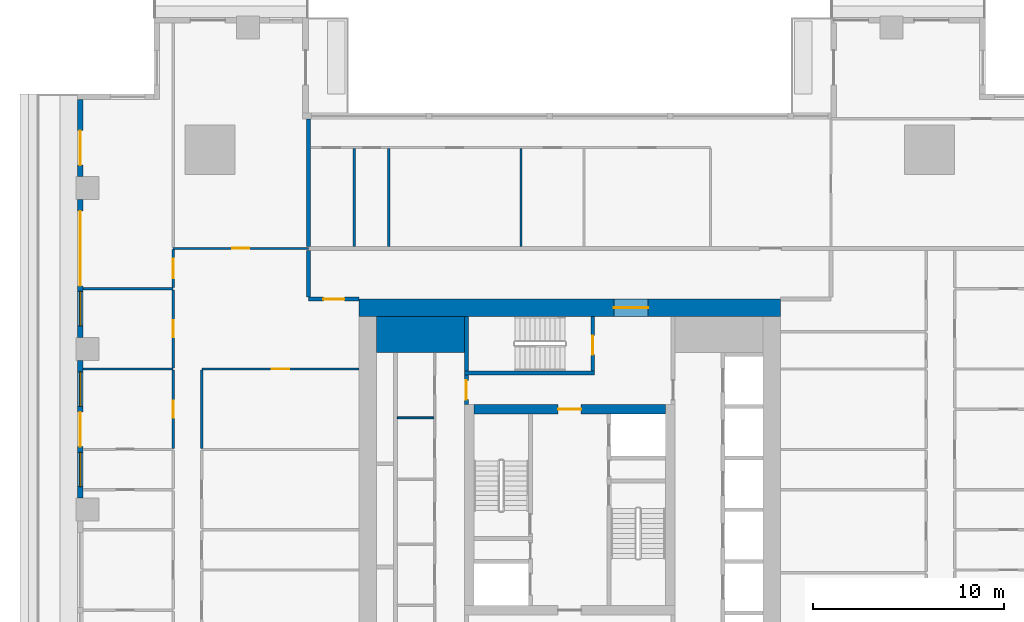
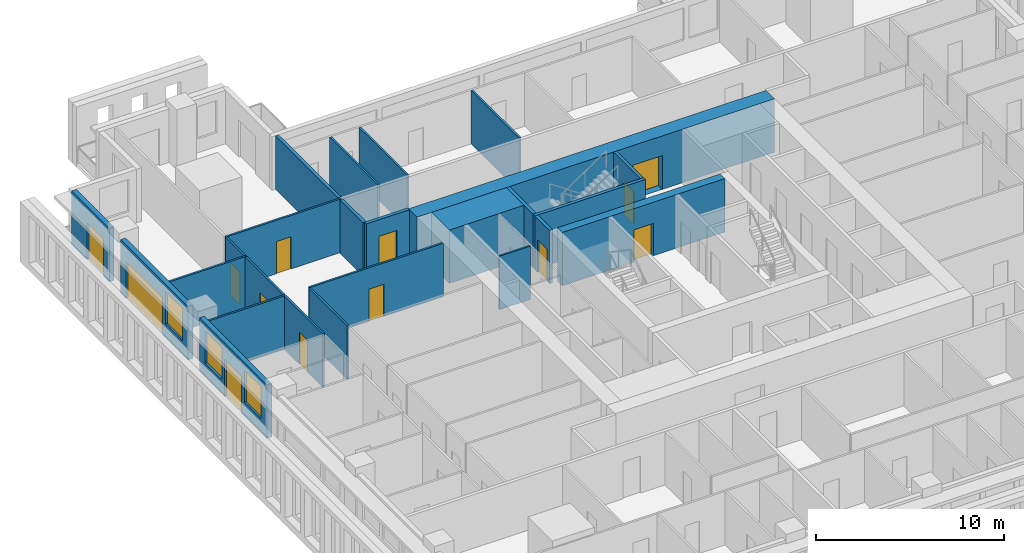
# One storey, part 7 of 16: 25 walls, 13 doors, 3 windows, 16 openings.
"""IFC4 building model written with IfcOpenShell, lengths in metres."""

from ifc_helpers import new_model, si_unit, direction, frame, frame_2d, origin, place, context, subcontext, project, spatial, rectangle, extrude, material, layer, layer_set, type_object, element, fill, save


model = new_model("IFC4")

# Units and contexts
model_context = context("Model", 3, precision=1e-05, world=origin(), true_north=direction((0.0, 1.0)))
body_context = subcontext(model_context, "Body", "Model", "MODEL_VIEW")
ifc_project = project(units=[si_unit("LENGTHUNIT", "METRE"), si_unit("AREAUNIT", "SQUARE_METRE"), si_unit("VOLUMEUNIT", "CUBIC_METRE"), si_unit("PLANEANGLEUNIT", "RADIAN"), si_unit("MASSUNIT", "GRAM", prefix="KILO")], contexts=[model_context])

# Site, building, storey
site_placement = place(None, origin())
site = spatial("IfcSite", under=ifc_project, at=site_placement, CompositionType="ELEMENT")
building_placement = place(site_placement, origin())
building = spatial("IfcBuilding", under=site, at=building_placement, Name="Khepri Terraces", CompositionType="ELEMENT")
storey_placement = place(building_placement, frame((0.0, 0.0, 172.800048828125)))
storey = spatial("IfcBuildingStorey", under=building, at=storey_placement, Name="L41", CompositionType="ELEMENT", Elevation=172.800048828125)

# Walls
ifc_material_1 = material(Name="Concrete C60/75", Category="concrete")
ifc_layer_1 = layer(ifc_material_1, 1.89990234375, Name="Concrete C60/75", Category="concrete")
ifc_layer_set_1 = layer_set([ifc_layer_1], Name="Concrete C60/75")
wall_type_1 = type_object("IfcWallType", Name="Core wall 1900 C60/75", PredefinedType="SHEAR", material=ifc_layer_set_1)
wall_1_placement = place(storey_placement, frame((-10.10009765625, 9.14990234375, 0.0), z_axis=(0.0, 0.0, 1.0), x_axis=(1.0, 0.0, 0.0)))
element("IfcWall", 1, at=wall_1_placement, inside=storey, type_object=wall_type_1, Name="Core wall PR03 L41", PredefinedType="SHEAR", context=body_context, shape_type="SweptSolid", body=[
    extrude(rectangle(XDim=4.60009765625, YDim=1.89990234375, at=frame_2d((2.300048828125, 0.0))), origin(), (0.0, 0.0, 1.0), 3.47998046875),
])
ifc_layer_2 = layer(ifc_material_1, 0.199951171875, Name="Concrete C60/75", Category="concrete")
ifc_layer_set_2 = layer_set([ifc_layer_2], Name="Concrete C60/75")
wall_type_2 = type_object("IfcWallType", Name="Core wall 200 C60/75", PredefinedType="SHEAR", material=ifc_layer_set_2)
wall_2_placement = place(storey_placement, frame((-5.5, 7.14990234375, 0.0), z_axis=(0.0, 0.0, 1.0), x_axis=(1.0, 0.0, 0.0)))
element("IfcWall", 2, at=wall_2_placement, inside=storey, type_object=wall_type_2, Name="Core wall ST05 L41", PredefinedType="SHEAR", context=body_context, shape_type="SweptSolid", body=[
    extrude(rectangle(XDim=6.800048828125, YDim=0.199951171875, at=frame_2d((3.39990234375, 0.0))), origin(), (0.0, 0.0, 1.0), 3.47998046875),
])
wall_3_placement = place(storey_placement, frame((-5.39990234375, 7.25, 0.0), z_axis=(0.0, 0.0, 1.0), x_axis=(0.0, 1.0, 0.0)))
element("IfcWall", 3, at=wall_3_placement, inside=storey, type_object=wall_type_2, Name="Core wall ST06 L41", PredefinedType="SHEAR", context=body_context, shape_type="SweptSolid", body=[
    extrude(rectangle(XDim=2.85009765625, YDim=0.199951171875, at=frame_2d((1.425048828125, 0.0))), origin(), (0.0, 0.0, 1.0), 3.47998046875),
])

# Wall, opening, door
wall_4_placement = place(storey_placement, frame((1.199951171875, 7.25, 0.0), z_axis=(0.0, 0.0, 1.0), x_axis=(0.0, 1.0, 0.0)))
wall_4 = element("IfcWall", 4, at=wall_4_placement, inside=storey, type_object=wall_type_2, Name="Core wall ST07 L41", PredefinedType="SHEAR", context=body_context, shape_type="SweptSolid", body=[
    extrude(rectangle(XDim=2.85009765625, YDim=0.199951171875, at=frame_2d((1.425048828125, 0.0))), origin(), (0.0, 0.0, 1.0), 3.47998046875),
])
opening_1_placement = place(wall_4_placement, frame((0.85009765625, 0.0, 0.0)))
opening_1 = element("IfcOpeningElement", 5, at=opening_1_placement, cuts=wall_4, Name="Opening L41-C15", PredefinedType="OPENING", context=body_context, shape_type="SweptSolid", body=[
    extrude(rectangle(XDim=1.0, YDim=2.10009765625, at=frame_2d((0.5, 1.050048828125))), frame((0.0, 0.10986328125, 0.0), z_axis=(0.0, -1.0, 0.0), x_axis=(1.0, 0.0, 0.0)), (0.0, 0.0, 1.0), 0.219970703125),
])
ifc_material_2 = material(Name="Painted steel", Category="steel")
door_type_1 = type_object("IfcDoorType", Name="DR-CORE-STAIR-1000", OperationType="NOTDEFINED", PredefinedType="DOOR", material=ifc_material_2)
door_1_placement = place(opening_1_placement, origin())
door_1 = element("IfcDoor", 6, at=door_1_placement, inside=storey, type_object=door_type_1, Name="Stair door L41-C15", OperationType="SINGLE_SWING_LEFT", OverallHeight=2.10009765625, OverallWidth=1.0, PredefinedType="DOOR", context=body_context, shape_type="SweptSolid", body=[
    extrude(rectangle(XDim=1.0, YDim=2.10009765625, at=frame_2d((0.5, 1.050048828125))), frame((0.0, 0.02490234375, 0.0), z_axis=(0.0, -1.0, 0.0), x_axis=(1.0, 0.0, 0.0)), (0.0, 0.0, 1.0), 0.050048828125),
])
fill(opening_1, door_1)

ifc_layer_3 = layer(ifc_material_1, 0.5, Name="Concrete C60/75", Category="concrete")
ifc_layer_set_3 = layer_set([ifc_layer_3], Name="Concrete C60/75")
wall_type_3 = type_object("IfcWallType", Name="Core wall 500 C60/75", PredefinedType="SHEAR", material=ifc_layer_set_3)
wall_5_placement = place(storey_placement, frame((-5.0, 5.25, 0.0), z_axis=(0.0, 0.0, 1.0), x_axis=(1.0, 0.0, 0.0)))
wall_5 = element("IfcWall", 7, at=wall_5_placement, inside=storey, type_object=wall_type_3, Name="Core wall BX04 L41", PredefinedType="SHEAR", context=body_context, shape_type="SweptSolid", body=[
    extrude(rectangle(XDim=10.0, YDim=0.5, at=frame_2d((5.0, 0.0))), origin(), (0.0, 0.0, 1.0), 3.47998046875),
])
opening_2_placement = place(wall_5_placement, frame((4.39990234375, 0.0, 0.0)))
opening_2 = element("IfcOpeningElement", 8, at=opening_2_placement, cuts=wall_5, Name="Opening L41-C13", PredefinedType="OPENING", context=body_context, shape_type="SweptSolid", body=[
    extrude(rectangle(XDim=1.199951171875, YDim=2.10009765625, at=frame_2d((0.60009765625, 1.050048828125))), frame((0.0, 0.260009765625, 0.0), z_axis=(0.0, -1.0, 0.0), x_axis=(1.0, 0.0, 0.0)), (0.0, 0.0, 1.0), 0.52001953125),
])
door_type_2 = type_object("IfcDoorType", Name="DR-CORE-FF-LOBBY-1200", OperationType="NOTDEFINED", PredefinedType="DOOR", material=ifc_material_2)
door_2_placement = place(opening_2_placement, frame((1.199951171875, 0.0, 0.0), z_axis=(0.0, 0.0, 1.0), x_axis=(-1.0, 0.0, 0.0)))
door_2 = element("IfcDoor", 9, at=door_2_placement, inside=storey, type_object=door_type_2, Name="Firefighting lobby door L41-C13", OperationType="SINGLE_SWING_LEFT", OverallHeight=2.10009765625, OverallWidth=1.199951171875, PredefinedType="DOOR", context=body_context, shape_type="SweptSolid", body=[
    extrude(rectangle(XDim=1.199951171875, YDim=2.10009765625, at=frame_2d((0.60009765625, 1.050048828125))), frame((0.0, 0.02490234375, 0.0), z_axis=(0.0, -1.0, 0.0), x_axis=(1.0, 0.0, 0.0)), (0.0, 0.0, 1.0), 0.050048828125),
])
fill(opening_2, door_2)

ifc_layer_4 = layer(ifc_material_1, 0.89990234375, Name="Concrete C60/75", Category="concrete")
ifc_layer_set_4 = layer_set([ifc_layer_4], Name="Concrete C60/75")
wall_type_4 = type_object("IfcWallType", Name="Core wall 900 C60/75", PredefinedType="SHEAR", material=ifc_layer_set_4)
wall_6_placement = place(storey_placement, frame((-11.0, 10.550048828125, 0.0), z_axis=(0.0, 0.0, 1.0), x_axis=(1.0, 0.0, 0.0)))
wall_6 = element("IfcWall", 10, at=wall_6_placement, inside=storey, type_object=wall_type_4, Name="Core wall OW-N L41", PredefinedType="SHEAR", context=body_context, shape_type="SweptSolid", body=[
    extrude(rectangle(XDim=22.0, YDim=0.89990234375, at=frame_2d((11.0, 0.0))), origin(), (0.0, 0.0, 1.0), 3.47998046875),
])
opening_3_placement = place(wall_6_placement, frame((13.300048828125, 0.0, 0.0)))
opening_3 = element("IfcOpeningElement", 11, at=opening_3_placement, cuts=wall_6, Name="Opening L41-C20", PredefinedType="OPENING", context=body_context, shape_type="SweptSolid", body=[
    extrude(rectangle(XDim=1.800048828125, YDim=2.199951171875, at=frame_2d((0.89990234375, 1.10009765625))), frame((0.0, 0.4599609375, 0.0), z_axis=(0.0, -1.0, 0.0), x_axis=(1.0, 0.0, 0.0)), (0.0, 0.0, 1.0), 0.919921875),
])
door_type_3 = type_object("IfcDoorType", Name="DR-CORE-ENTRANCE-1800", OperationType="NOTDEFINED", PredefinedType="DOOR", material=ifc_material_2)
door_3_placement = place(opening_3_placement, origin())
door_3 = element("IfcDoor", 12, at=door_3_placement, inside=storey, type_object=door_type_3, Name="Core entrance door pair L41-C20", OperationType="DOUBLE_DOOR_SINGLE_SWING", OverallHeight=2.199951171875, OverallWidth=1.800048828125, PredefinedType="DOOR", context=body_context, shape_type="SweptSolid", body=[
    extrude(rectangle(XDim=1.800048828125, YDim=2.199951171875, at=frame_2d((0.89990234375, 1.10009765625))), frame((0.0, 0.02490234375, 0.0), z_axis=(0.0, -1.0, 0.0), x_axis=(1.0, 0.0, 0.0)), (0.0, 0.0, 1.0), 0.050048828125),
])
fill(opening_3, door_3)

# Wall
ifc_material_3 = material(Name="Fire-rated gypsum board partition")
ifc_layer_5 = layer(ifc_material_3, 0.10009765625, Name="Fire-rated gypsum board partition")
ifc_layer_set_5 = layer_set([ifc_layer_5], Name="Fire-rated gypsum board partition")
wall_type_5 = type_object("IfcWallType", Name="WL-CORE-PART-100", PredefinedType="PARTITIONING", material=ifc_layer_set_5)
wall_7_placement = place(storey_placement, frame((-9.0, 4.800048828125, 0.0), z_axis=(0.0, 0.0, 1.0), x_axis=(1.0, 0.0, 0.0)))
element("IfcWall", 13, at=wall_7_placement, inside=storey, type_object=wall_type_5, Name="Core partition PT11 L41", PredefinedType="PARTITIONING", context=body_context, shape_type="SweptSolid", body=[
    extrude(rectangle(XDim=1.89990234375, YDim=0.10009765625, at=frame_2d((0.949951171875, 0.0))), origin(), (0.0, 0.0, 1.0), 3.47998046875),
])

# Wall, opening, door
ifc_layer_6 = layer(ifc_material_3, 0.199951171875, Name="Fire-rated gypsum board partition")
ifc_layer_set_6 = layer_set([ifc_layer_6], Name="Fire-rated gypsum board partition")
wall_type_6 = type_object("IfcWallType", Name="WL-CORE-PART-200", PredefinedType="PARTITIONING", material=ifc_layer_set_6)
wall_8_placement = place(storey_placement, frame((-5.39990234375, 5.5, 0.0), z_axis=(0.0, 0.0, 1.0), x_axis=(0.0, 1.0, 0.0)))
wall_8 = element("IfcWall", 14, at=wall_8_placement, inside=storey, type_object=wall_type_6, Name="Core partition PT12 L41", PredefinedType="PARTITIONING", context=body_context, shape_type="SweptSolid", body=[
    extrude(rectangle(XDim=1.550048828125, YDim=0.199951171875, at=frame_2d((0.77490234375, 0.0))), origin(), (0.0, 0.0, 1.0), 3.47998046875),
])
opening_4_placement = place(wall_8_placement, frame((0.25, 0.0, 0.0)))
opening_4 = element("IfcOpeningElement", 15, at=opening_4_placement, cuts=wall_8, Name="Opening L41-C16", PredefinedType="OPENING", context=body_context, shape_type="SweptSolid", body=[
    extrude(rectangle(XDim=1.0, YDim=2.10009765625, at=frame_2d((0.5, 1.050048828125))), frame((0.0, 0.10986328125, 0.0), z_axis=(0.0, -1.0, 0.0), x_axis=(1.0, 0.0, 0.0)), (0.0, 0.0, 1.0), 0.219970703125),
])
door_type_4 = type_object("IfcDoorType", Name="DR-CORE-LOBBY-1000", OperationType="NOTDEFINED", PredefinedType="DOOR", material=ifc_material_2)
door_4_placement = place(opening_4_placement, frame((1.0, 0.0, 0.0), z_axis=(0.0, 0.0, 1.0), x_axis=(-1.0, 0.0, 0.0)))
door_4 = element("IfcDoor", 16, at=door_4_placement, inside=storey, type_object=door_type_4, Name="Lobby door L41-C16", OperationType="SINGLE_SWING_RIGHT", OverallHeight=2.10009765625, OverallWidth=1.0, PredefinedType="DOOR", context=body_context, shape_type="SweptSolid", body=[
    extrude(rectangle(XDim=1.0, YDim=2.10009765625, at=frame_2d((0.5, 1.050048828125))), frame((0.0, 0.02490234375, 0.0), z_axis=(0.0, -1.0, 0.0), x_axis=(1.0, 0.0, 0.0)), (0.0, 0.0, 1.0), 0.050048828125),
])
fill(opening_4, door_4)

ifc_material_4 = material(Name="Fire-rated gypsum plasterboard partition, mineral wool")
ifc_layer_7 = layer(ifc_material_4, 0.199951171875, Name="Fire-rated gypsum plasterboard partition, mineral wool")
ifc_layer_set_7 = layer_set([ifc_layer_7], Name="Fire-rated gypsum plasterboard partition, mineral wool")
wall_type_7 = type_object("IfcWallType", Name="WL-CORR-200", PredefinedType="PARTITIONING", material=ifc_layer_set_7)
wall_9_placement = place(storey_placement, frame((-13.64990234375, 11.0, 0.0), z_axis=(0.0, 0.0, 1.0), x_axis=(1.0, 0.0, 0.0)))
wall_9 = element("IfcWall", 17, at=wall_9_placement, inside=storey, type_object=wall_type_7, Name="Partition P-083 L41", PredefinedType="PARTITIONING", context=body_context, shape_type="SweptSolid", body=[
    extrude(rectangle(XDim=2.64990234375, YDim=0.199951171875, at=frame_2d((1.324951171875, 0.0))), origin(), (0.0, 0.0, 1.0), 3.47998046875),
])
opening_5_placement = place(wall_9_placement, frame((0.77490234375, 0.0, 0.0)))
opening_5 = element("IfcOpeningElement", 18, at=opening_5_placement, cuts=wall_9, Name="Opening D1", PredefinedType="OPENING", context=body_context, shape_type="SweptSolid", body=[
    extrude(rectangle(XDim=1.10009765625, YDim=2.39990234375, at=frame_2d((0.550048828125, 1.199951171875))), frame((0.0, 0.10986328125, 0.0), z_axis=(0.0, -1.0, 0.0), x_axis=(1.0, 0.0, 0.0)), (0.0, 0.0, 1.0), 0.219970703125),
])
ifc_material_5 = material(Name="Solid-core timber door leaf, flat entrance door", Category="wood")
door_type_5 = type_object("IfcDoorType", Name="DR-ENT-1100", OperationType="NOTDEFINED", PredefinedType="DOOR", material=ifc_material_5)
door_5_placement = place(opening_5_placement, frame((1.10009765625, 0.0, 0.0), z_axis=(0.0, 0.0, 1.0), x_axis=(-1.0, 0.0, 0.0)))
door_5 = element("IfcDoor", 19, at=door_5_placement, inside=storey, type_object=door_type_5, Name="Flat D1 entrance door", OperationType="SINGLE_SWING_LEFT", OverallHeight=2.39990234375, OverallWidth=1.10009765625, PredefinedType="DOOR", context=body_context, shape_type="SweptSolid", body=[
    extrude(rectangle(XDim=1.10009765625, YDim=2.39990234375, at=frame_2d((0.550048828125, 1.199951171875))), frame((0.0, 0.02490234375, 0.0), z_axis=(0.0, -1.0, 0.0), x_axis=(1.0, 0.0, 0.0)), (0.0, 0.0, 1.0), 0.050048828125),
])
fill(opening_5, door_5)

# Walls
wall_10_placement = place(storey_placement, frame((-13.64990234375, 11.10009765625, 0.0), z_axis=(0.0, 0.0, 1.0), x_axis=(0.0, 1.0, 0.0)))
element("IfcWall", 20, at=wall_10_placement, inside=storey, type_object=wall_type_7, Name="Partition P-085 L41", PredefinedType="PARTITIONING", context=body_context, shape_type="SweptSolid", body=[
    extrude(rectangle(XDim=2.449951171875, YDim=0.199951171875, at=frame_2d((1.22509765625, 0.0))), origin(), (0.0, 0.0, 1.0), 3.47998046875),
])
wall_11_placement = place(storey_placement, frame((-13.64990234375, 13.75, 0.0), z_axis=(0.0, 0.0, 1.0), x_axis=(0.0, 1.0, 0.0)))
element("IfcWall", 21, at=wall_11_placement, inside=storey, type_object=wall_type_7, Name="Partition P-094 L41", PredefinedType="PARTITIONING", context=body_context, shape_type="SweptSolid", body=[
    extrude(rectangle(XDim=6.669921875, YDim=0.199951171875, at=frame_2d((3.3349609375, 0.0))), origin(), (0.0, 0.0, 1.0), 3.47998046875),
])

# Wall, opening, door
ifc_material_6 = material(Name="Precast concrete C50/60 warm stone", Category="masonry")
ifc_layer_8 = layer(ifc_material_6, 0.300048828125, Name="Precast concrete C50/60 warm stone", Category="masonry")
ifc_layer_set_8 = layer_set([ifc_layer_8], Name="Precast concrete C50/60 warm stone")
wall_type_8 = type_object("IfcWallType", Name="WL-EXT-PRECAST-300", PredefinedType="STANDARD", material=ifc_layer_set_8)
wall_12_placement = place(storey_placement, frame((-25.570068359375, 21.419921875, 0.0), z_axis=(0.0, 0.0, 1.0), x_axis=(0.0, -1.0, 0.0)))
wall_12 = element("IfcWall", 22, at=wall_12_placement, inside=storey, type_object=wall_type_8, Name="External wall L41 W", PredefinedType="STANDARD", context=body_context, shape_type="SweptSolid", body=[
    extrude(rectangle(XDim=4.02001953125, YDim=0.300048828125, at=frame_2d((2.010009765625, 0.0))), origin(), (0.0, 0.0, 1.0), 3.47998046875),
])
opening_6_placement = place(wall_12_placement, frame((1.6201171875, 0.0, 0.0)))
opening_6 = element("IfcOpeningElement", 23, at=opening_6_placement, cuts=wall_12, Name="Opening ED-L41-09", PredefinedType="OPENING", context=body_context, shape_type="SweptSolid", body=[
    extrude(rectangle(XDim=1.800048828125, YDim=2.39990234375, at=frame_2d((0.89990234375, 1.199951171875))), frame((0.0, 0.16015625, 0.0), z_axis=(0.0, -1.0, 0.0), x_axis=(1.0, 0.0, 0.0)), (0.0, 0.0, 1.0), 0.320068359375),
])
ifc_material_7 = material(Name="Anodised aluminium bronze glazed door", Category="aluminium")
door_type_6 = type_object("IfcDoorType", Name="DR-BAL-SLIDE-1800x2400", OperationType="NOTDEFINED", PredefinedType="DOOR", material=ifc_material_7)
door_6_placement = place(opening_6_placement, origin())
door_6 = element("IfcDoor", 24, at=door_6_placement, inside=storey, type_object=door_type_6, Name="Balcony door L41 W", OperationType="SLIDING_TO_RIGHT", OverallHeight=2.39990234375, OverallWidth=1.800048828125, PredefinedType="DOOR", context=body_context, shape_type="SweptSolid", body=[
    extrude(rectangle(XDim=1.800048828125, YDim=2.39990234375, at=frame_2d((0.89990234375, 1.199951171875))), frame((0.0, 0.02490234375, 0.0), z_axis=(0.0, -1.0, 0.0), x_axis=(1.0, 0.0, 0.0)), (0.0, 0.0, 1.0), 0.050048828125),
])
fill(opening_6, door_6)

# Wall, openings, door, window
wall_13_placement = place(storey_placement, frame((-25.570068359375, 16.199951171875, 0.0), z_axis=(0.0, 0.0, 1.0), x_axis=(0.0, -1.0, 0.0)))
wall_13 = element("IfcWall", 25, at=wall_13_placement, inside=storey, type_object=wall_type_8, Name="External wall L41 W", PredefinedType="STANDARD", context=body_context, shape_type="SweptSolid", body=[
    extrude(rectangle(XDim=7.199951171875, YDim=0.300048828125, at=frame_2d((3.60009765625, 0.0))), origin(), (0.0, 0.0, 1.0), 3.47998046875),
])
opening_7_placement = place(wall_13_placement, frame((0.60009765625, 0.0, 0.0)))
opening_7 = element("IfcOpeningElement", 26, at=opening_7_placement, cuts=wall_13, Name="Opening ED-L41-10", PredefinedType="OPENING", context=body_context, shape_type="SweptSolid", body=[
    extrude(rectangle(XDim=3.89990234375, YDim=2.39990234375, at=frame_2d((1.949951171875, 1.199951171875))), frame((0.0, 0.16015625, 0.0), z_axis=(0.0, -1.0, 0.0), x_axis=(1.0, 0.0, 0.0)), (0.0, 0.0, 1.0), 0.320068359375),
])
opening_8_placement = place(wall_13_placement, frame((4.800048828125, 0.0, 0.89990234375)))
opening_8 = element("IfcOpeningElement", 27, at=opening_8_placement, cuts=wall_13, Name="Opening W1", PredefinedType="OPENING", context=body_context, shape_type="SweptSolid", body=[
    extrude(rectangle(XDim=1.800048828125, YDim=2.10009765625, at=frame_2d((0.89990234375, 1.050048828125))), frame((0.0, 0.16015625, 0.0), z_axis=(0.0, -1.0, 0.0), x_axis=(1.0, 0.0, 0.0)), (0.0, 0.0, 1.0), 0.320068359375),
])
door_type_7 = type_object("IfcDoorType", Name="DR-BAL-SLIDE-3900x2400", OperationType="NOTDEFINED", PredefinedType="DOOR", material=ifc_material_7)
door_7_placement = place(opening_7_placement, origin())
door_7 = element("IfcDoor", 28, at=door_7_placement, inside=storey, type_object=door_type_7, Name="Balcony door L41 W", OperationType="SLIDING_TO_LEFT", OverallHeight=2.39990234375, OverallWidth=3.89990234375, PredefinedType="DOOR", context=body_context, shape_type="SweptSolid", body=[
    extrude(rectangle(XDim=3.89990234375, YDim=2.39990234375, at=frame_2d((1.949951171875, 1.199951171875))), frame((0.0, 0.02490234375, 0.0), z_axis=(0.0, -1.0, 0.0), x_axis=(1.0, 0.0, 0.0)), (0.0, 0.0, 1.0), 0.050048828125),
])
fill(opening_7, door_7)
ifc_material_8 = material(Name="Clear glass", Category="glass")
window_type = type_object("IfcWindowType", Name="WIN-RES-1800x2100", PartitioningType="SINGLE_PANEL", PredefinedType="WINDOW", material=ifc_material_8)
window_1_placement = place(opening_8_placement, origin())
window_1 = element("IfcWindow", 29, at=window_1_placement, inside=storey, type_object=window_type, Name="Window L41 W", OverallHeight=2.10009765625, OverallWidth=1.800048828125, PartitioningType="SINGLE_PANEL", PredefinedType="WINDOW", context=body_context, shape_type="SweptSolid", body=[
    extrude(rectangle(XDim=1.800048828125, YDim=2.10009765625, at=frame_2d((0.89990234375, 1.050048828125))), frame((0.0, 0.030029296875, 0.0), z_axis=(0.0, -1.0, 0.0), x_axis=(1.0, 0.0, 0.0)), (0.0, 0.0, 1.0), 0.06005859375),
])
fill(opening_8, window_1)

# Wall, openings, door, windows
wall_14_placement = place(storey_placement, frame((-25.570068359375, 7.800048828125, 0.0), z_axis=(0.0, 0.0, 1.0), x_axis=(0.0, -1.0, 0.0)))
wall_14 = element("IfcWall", 30, at=wall_14_placement, inside=storey, type_object=wall_type_8, Name="External wall L41 W", PredefinedType="STANDARD", context=body_context, shape_type="SweptSolid", body=[
    extrude(rectangle(XDim=7.199951171875, YDim=0.300048828125, at=frame_2d((3.60009765625, 0.0))), origin(), (0.0, 0.0, 1.0), 3.47998046875),
])
opening_9_placement = place(wall_14_placement, frame((0.60009765625, 0.0, 0.89990234375)))
opening_9 = element("IfcOpeningElement", 31, at=opening_9_placement, cuts=wall_14, Name="Opening W1", PredefinedType="OPENING", context=body_context, shape_type="SweptSolid", body=[
    extrude(rectangle(XDim=1.800048828125, YDim=2.10009765625, at=frame_2d((0.89990234375, 1.050048828125))), frame((0.0, 0.16015625, 0.0), z_axis=(0.0, -1.0, 0.0), x_axis=(1.0, 0.0, 0.0)), (0.0, 0.0, 1.0), 0.320068359375),
])
opening_10_placement = place(wall_14_placement, frame((2.699951171875, 0.0, 0.0)))
opening_10 = element("IfcOpeningElement", 32, at=opening_10_placement, cuts=wall_14, Name="Opening ED-L41-11", PredefinedType="OPENING", context=body_context, shape_type="SweptSolid", body=[
    extrude(rectangle(XDim=1.800048828125, YDim=2.39990234375, at=frame_2d((0.89990234375, 1.199951171875))), frame((0.0, 0.16015625, 0.0), z_axis=(0.0, -1.0, 0.0), x_axis=(1.0, 0.0, 0.0)), (0.0, 0.0, 1.0), 0.320068359375),
])
opening_11_placement = place(wall_14_placement, frame((4.800048828125, 0.0, 0.89990234375)))
opening_11 = element("IfcOpeningElement", 33, at=opening_11_placement, cuts=wall_14, Name="Opening W1", PredefinedType="OPENING", context=body_context, shape_type="SweptSolid", body=[
    extrude(rectangle(XDim=1.800048828125, YDim=2.10009765625, at=frame_2d((0.89990234375, 1.050048828125))), frame((0.0, 0.16015625, 0.0), z_axis=(0.0, -1.0, 0.0), x_axis=(1.0, 0.0, 0.0)), (0.0, 0.0, 1.0), 0.320068359375),
])
door_8_placement = place(opening_10_placement, origin())
door_8 = element("IfcDoor", 34, at=door_8_placement, inside=storey, type_object=door_type_6, Name="Balcony door L41 W", OperationType="SLIDING_TO_LEFT", OverallHeight=2.39990234375, OverallWidth=1.800048828125, PredefinedType="DOOR", context=body_context, shape_type="SweptSolid", body=[
    extrude(rectangle(XDim=1.800048828125, YDim=2.39990234375, at=frame_2d((0.89990234375, 1.199951171875))), frame((0.0, 0.02490234375, 0.0), z_axis=(0.0, -1.0, 0.0), x_axis=(1.0, 0.0, 0.0)), (0.0, 0.0, 1.0), 0.050048828125),
])
fill(opening_10, door_8)
window_2_placement = place(opening_9_placement, origin())
window_2 = element("IfcWindow", 35, at=window_2_placement, inside=storey, type_object=window_type, Name="Window L41 W", OverallHeight=2.10009765625, OverallWidth=1.800048828125, PartitioningType="SINGLE_PANEL", PredefinedType="WINDOW", context=body_context, shape_type="SweptSolid", body=[
    extrude(rectangle(XDim=1.800048828125, YDim=2.10009765625, at=frame_2d((0.89990234375, 1.050048828125))), frame((0.0, 0.030029296875, 0.0), z_axis=(0.0, -1.0, 0.0), x_axis=(1.0, 0.0, 0.0)), (0.0, 0.0, 1.0), 0.06005859375),
])
fill(opening_9, window_2)
window_3_placement = place(opening_11_placement, origin())
window_3 = element("IfcWindow", 36, at=window_3_placement, inside=storey, type_object=window_type, Name="Window L41 W", OverallHeight=2.10009765625, OverallWidth=1.800048828125, PartitioningType="SINGLE_PANEL", PredefinedType="WINDOW", context=body_context, shape_type="SweptSolid", body=[
    extrude(rectangle(XDim=1.800048828125, YDim=2.10009765625, at=frame_2d((0.89990234375, 1.050048828125))), frame((0.0, 0.030029296875, 0.0), z_axis=(0.0, -1.0, 0.0), x_axis=(1.0, 0.0, 0.0)), (0.0, 0.0, 1.0), 0.06005859375),
])
fill(opening_11, window_3)

# Wall, opening, door
ifc_material_9 = material(Name="Gypsum plasterboard partition")
ifc_layer_9 = layer(ifc_material_9, 0.1201171875, Name="Gypsum plasterboard partition")
ifc_layer_set_9 = layer_set([ifc_layer_9], Name="Gypsum plasterboard partition")
wall_type_9 = type_object("IfcWallType", Name="WL-PART-120", PredefinedType="PARTITIONING", material=ifc_layer_set_9)
wall_15_placement = place(storey_placement, frame((-20.719970703125, 3.2099609375, 0.0), z_axis=(0.0, 0.0, 1.0), x_axis=(0.0, 1.0, 0.0)))
wall_15 = element("IfcWall", 37, at=wall_15_placement, inside=storey, type_object=wall_type_9, Name="Partition P-069 L41", PredefinedType="PARTITIONING", context=body_context, shape_type="SweptSolid", body=[
    extrude(rectangle(XDim=4.080078125, YDim=0.1201171875, at=frame_2d((2.0400390625, 0.0))), origin(), (0.0, 0.0, 1.0), 3.47998046875),
])
opening_12_placement = place(wall_15_placement, frame((1.590087890625, 0.0, 0.0)))
opening_12 = element("IfcOpeningElement", 38, at=opening_12_placement, cuts=wall_15, Name="Opening D3", PredefinedType="OPENING", context=body_context, shape_type="SweptSolid", body=[
    extrude(rectangle(XDim=0.89990234375, YDim=2.10009765625, at=frame_2d((0.449951171875, 1.050048828125))), frame((0.0, 0.070068359375, 0.0), z_axis=(0.0, -1.0, 0.0), x_axis=(1.0, 0.0, 0.0)), (0.0, 0.0, 1.0), 0.14013671875),
])
ifc_material_10 = material(Name="Timber door leaf", Category="wood")
door_type_8 = type_object("IfcDoorType", Name="DR-INT-900", OperationType="NOTDEFINED", PredefinedType="DOOR", material=ifc_material_10)
door_9_placement = place(opening_12_placement, origin())
door_9 = element("IfcDoor", 39, at=door_9_placement, inside=storey, type_object=door_type_8, Name="Door Master Bedroom", OperationType="SINGLE_SWING_RIGHT", OverallHeight=2.10009765625, OverallWidth=0.89990234375, PredefinedType="DOOR", context=body_context, shape_type="SweptSolid", body=[
    extrude(rectangle(XDim=0.89990234375, YDim=2.10009765625, at=frame_2d((0.449951171875, 1.050048828125))), frame((0.0, 0.02490234375, 0.0), z_axis=(0.0, -1.0, 0.0), x_axis=(1.0, 0.0, 0.0)), (0.0, 0.0, 1.0), 0.050048828125),
])
fill(opening_12, door_9)

# Walls
wall_16_placement = place(storey_placement, frame((-19.219970703125, 3.2099609375, 0.0), z_axis=(0.0, 0.0, 1.0), x_axis=(0.0, 1.0, 0.0)))
element("IfcWall", 40, at=wall_16_placement, inside=storey, type_object=wall_type_9, Name="Partition P-070 L41", PredefinedType="PARTITIONING", context=body_context, shape_type="SweptSolid", body=[
    extrude(rectangle(XDim=4.080078125, YDim=0.1201171875, at=frame_2d((2.0400390625, 0.0))), origin(), (0.0, 0.0, 1.0), 3.47998046875),
])
wall_17_placement = place(storey_placement, frame((-25.419921875, 7.35009765625, 0.0), z_axis=(0.0, 0.0, 1.0), x_axis=(1.0, 0.0, 0.0)))
element("IfcWall", 41, at=wall_17_placement, inside=storey, type_object=wall_type_9, Name="Partition P-074 L41", PredefinedType="PARTITIONING", context=body_context, shape_type="SweptSolid", body=[
    extrude(rectangle(XDim=4.699951171875, YDim=0.1201171875, at=frame_2d((2.35009765625, 0.0))), origin(), (0.0, 0.0, 1.0), 3.47998046875),
])

# Wall, opening, door
wall_18_placement = place(storey_placement, frame((-19.219970703125, 7.35009765625, 0.0), z_axis=(0.0, 0.0, 1.0), x_axis=(1.0, 0.0, 0.0)))
wall_18 = element("IfcWall", 42, at=wall_18_placement, inside=storey, type_object=wall_type_9, Name="Partition P-075 L41", PredefinedType="PARTITIONING", context=body_context, shape_type="SweptSolid", body=[
    extrude(rectangle(XDim=8.219970703125, YDim=0.1201171875, at=frame_2d((4.10986328125, 0.0))), origin(), (0.0, 0.0, 1.0), 3.47998046875),
])
opening_13_placement = place(wall_18_placement, frame((3.659912109375, 0.0, 0.0)))
opening_13 = element("IfcOpeningElement", 43, at=opening_13_placement, cuts=wall_18, Name="Opening D3", PredefinedType="OPENING", context=body_context, shape_type="SweptSolid", body=[
    extrude(rectangle(XDim=0.89990234375, YDim=2.10009765625, at=frame_2d((0.449951171875, 1.050048828125))), frame((0.0, 0.070068359375, 0.0), z_axis=(0.0, -1.0, 0.0), x_axis=(1.0, 0.0, 0.0)), (0.0, 0.0, 1.0), 0.14013671875),
])
door_10_placement = place(opening_13_placement, frame((0.89990234375, 0.0, 0.0), z_axis=(0.0, 0.0, 1.0), x_axis=(-1.0, 0.0, 0.0)))
door_10 = element("IfcDoor", 44, at=door_10_placement, inside=storey, type_object=door_type_8, Name="Door Kitchen", OperationType="SINGLE_SWING_LEFT", OverallHeight=2.10009765625, OverallWidth=0.89990234375, PredefinedType="DOOR", context=body_context, shape_type="SweptSolid", body=[
    extrude(rectangle(XDim=0.89990234375, YDim=2.10009765625, at=frame_2d((0.449951171875, 1.050048828125))), frame((0.0, 0.02490234375, 0.0), z_axis=(0.0, -1.0, 0.0), x_axis=(1.0, 0.0, 0.0)), (0.0, 0.0, 1.0), 0.050048828125),
])
fill(opening_13, door_10)

wall_19_placement = place(storey_placement, frame((-20.719970703125, 7.409912109375, 0.0), z_axis=(0.0, 0.0, 1.0), x_axis=(0.0, 1.0, 0.0)))
wall_19 = element("IfcWall", 45, at=wall_19_placement, inside=storey, type_object=wall_type_9, Name="Partition P-078 L41", PredefinedType="PARTITIONING", context=body_context, shape_type="SweptSolid", body=[
    extrude(rectangle(XDim=4.080078125, YDim=0.1201171875, at=frame_2d((2.0400390625, 0.0))), origin(), (0.0, 0.0, 1.0), 3.47998046875),
])
opening_14_placement = place(wall_19_placement, frame((1.590087890625, 0.0, 0.0)))
opening_14 = element("IfcOpeningElement", 46, at=opening_14_placement, cuts=wall_19, Name="Opening D3", PredefinedType="OPENING", context=body_context, shape_type="SweptSolid", body=[
    extrude(rectangle(XDim=0.89990234375, YDim=2.10009765625, at=frame_2d((0.449951171875, 1.050048828125))), frame((0.0, 0.070068359375, 0.0), z_axis=(0.0, -1.0, 0.0), x_axis=(1.0, 0.0, 0.0)), (0.0, 0.0, 1.0), 0.14013671875),
])
door_11_placement = place(opening_14_placement, origin())
door_11 = element("IfcDoor", 47, at=door_11_placement, inside=storey, type_object=door_type_8, Name="Door Study", OperationType="SINGLE_SWING_LEFT", OverallHeight=2.10009765625, OverallWidth=0.89990234375, PredefinedType="DOOR", context=body_context, shape_type="SweptSolid", body=[
    extrude(rectangle(XDim=0.89990234375, YDim=2.10009765625, at=frame_2d((0.449951171875, 1.050048828125))), frame((0.0, 0.02490234375, 0.0), z_axis=(0.0, -1.0, 0.0), x_axis=(1.0, 0.0, 0.0)), (0.0, 0.0, 1.0), 0.050048828125),
])
fill(opening_14, door_11)

# Wall
wall_20_placement = place(storey_placement, frame((-25.419921875, 11.550048828125, 0.0), z_axis=(0.0, 0.0, 1.0), x_axis=(1.0, 0.0, 0.0)))
element("IfcWall", 48, at=wall_20_placement, inside=storey, type_object=wall_type_9, Name="Partition P-087 L41", PredefinedType="PARTITIONING", context=body_context, shape_type="SweptSolid", body=[
    extrude(rectangle(XDim=4.699951171875, YDim=0.1201171875, at=frame_2d((2.35009765625, 0.0))), origin(), (0.0, 0.0, 1.0), 3.47998046875),
])

# Wall, opening, door
wall_21_placement = place(storey_placement, frame((-20.719970703125, 11.610107421875, 0.0), z_axis=(0.0, 0.0, 1.0), x_axis=(0.0, 1.0, 0.0)))
wall_21 = element("IfcWall", 49, at=wall_21_placement, inside=storey, type_object=wall_type_9, Name="Partition P-089 L41", PredefinedType="PARTITIONING", context=body_context, shape_type="SweptSolid", body=[
    extrude(rectangle(XDim=1.97998046875, YDim=0.1201171875, at=frame_2d((0.989990234375, 0.0))), origin(), (0.0, 0.0, 1.0), 3.47998046875),
])
opening_15_placement = place(wall_21_placement, frame((0.489990234375, 0.0, 0.0)))
opening_15 = element("IfcOpeningElement", 50, at=opening_15_placement, cuts=wall_21, Name="Opening D2", PredefinedType="OPENING", context=body_context, shape_type="SweptSolid", body=[
    extrude(rectangle(XDim=1.0, YDim=2.10009765625, at=frame_2d((0.5, 1.050048828125))), frame((0.0, 0.070068359375, 0.0), z_axis=(0.0, -1.0, 0.0), x_axis=(1.0, 0.0, 0.0)), (0.0, 0.0, 1.0), 0.14013671875),
])
ifc_material_11 = material(Name="Timber door leaf, living room door", Category="wood")
door_type_9 = type_object("IfcDoorType", Name="DR-INT-1000", OperationType="NOTDEFINED", PredefinedType="DOOR", material=ifc_material_11)
door_12_placement = place(opening_15_placement, origin())
door_12 = element("IfcDoor", 51, at=door_12_placement, inside=storey, type_object=door_type_9, Name="Door Living Room", OperationType="SINGLE_SWING_RIGHT", OverallHeight=2.10009765625, OverallWidth=1.0, PredefinedType="DOOR", context=body_context, shape_type="SweptSolid", body=[
    extrude(rectangle(XDim=1.0, YDim=2.10009765625, at=frame_2d((0.5, 1.050048828125))), frame((0.0, 0.02490234375, 0.0), z_axis=(0.0, -1.0, 0.0), x_axis=(1.0, 0.0, 0.0)), (0.0, 0.0, 1.0), 0.050048828125),
])
fill(opening_15, door_12)

wall_22_placement = place(storey_placement, frame((-20.719970703125, 13.64990234375, 0.0), z_axis=(0.0, 0.0, 1.0), x_axis=(1.0, 0.0, 0.0)))
wall_22 = element("IfcWall", 52, at=wall_22_placement, inside=storey, type_object=wall_type_9, Name="Partition P-091 L41", PredefinedType="PARTITIONING", context=body_context, shape_type="SweptSolid", body=[
    extrude(rectangle(XDim=7.070068359375, YDim=0.1201171875, at=frame_2d((3.53515625, 0.0))), origin(), (0.0, 0.0, 1.0), 3.47998046875),
])
opening_16_placement = place(wall_22_placement, frame((3.0849609375, 0.0, 0.0)))
opening_16 = element("IfcOpeningElement", 53, at=opening_16_placement, cuts=wall_22, Name="Opening D3", PredefinedType="OPENING", context=body_context, shape_type="SweptSolid", body=[
    extrude(rectangle(XDim=0.89990234375, YDim=2.10009765625, at=frame_2d((0.449951171875, 1.050048828125))), frame((0.0, 0.070068359375, 0.0), z_axis=(0.0, -1.0, 0.0), x_axis=(1.0, 0.0, 0.0)), (0.0, 0.0, 1.0), 0.14013671875),
])
door_13_placement = place(opening_16_placement, origin())
door_13 = element("IfcDoor", 54, at=door_13_placement, inside=storey, type_object=door_type_8, Name="Door Library", OperationType="SINGLE_SWING_RIGHT", OverallHeight=2.10009765625, OverallWidth=0.89990234375, PredefinedType="DOOR", context=body_context, shape_type="SweptSolid", body=[
    extrude(rectangle(XDim=0.89990234375, YDim=2.10009765625, at=frame_2d((0.449951171875, 1.050048828125))), frame((0.0, 0.02490234375, 0.0), z_axis=(0.0, -1.0, 0.0), x_axis=(1.0, 0.0, 0.0)), (0.0, 0.0, 1.0), 0.050048828125),
])
fill(opening_16, door_13)

# Walls
for number, where, z_axis, x_axis, name in (
    (55, (-11.25, 13.75, 0.0), (0.0, 0.0, 1.0), (0.0, 1.0, 0.0), "Partition P-095 L41"),
    (56, (-9.449951171875, 13.75, 0.0), (0.0, 0.0, 1.0), (0.0, 1.0, 0.0), "Partition P-096 L41"),
    (57, (-2.550048828125, 13.75, 0.0), (0.0, 0.0, 1.0), (0.0, 1.0, 0.0), "Partition P-097 L41"),
):
    element("IfcWall", number, at=place(storey_placement, frame(where, z_axis=z_axis, x_axis=x_axis)), inside=storey, type_object=wall_type_9, Name=name, PredefinedType="PARTITIONING", context=body_context, shape_type="SweptSolid", body=[
        extrude(rectangle(XDim=5.110107421875, YDim=0.1201171875, at=frame_2d((2.55517578125, 0.0))), origin(), (0.0, 0.0, 1.0), 3.47998046875),
    ])

save(model, "model.ifc")
